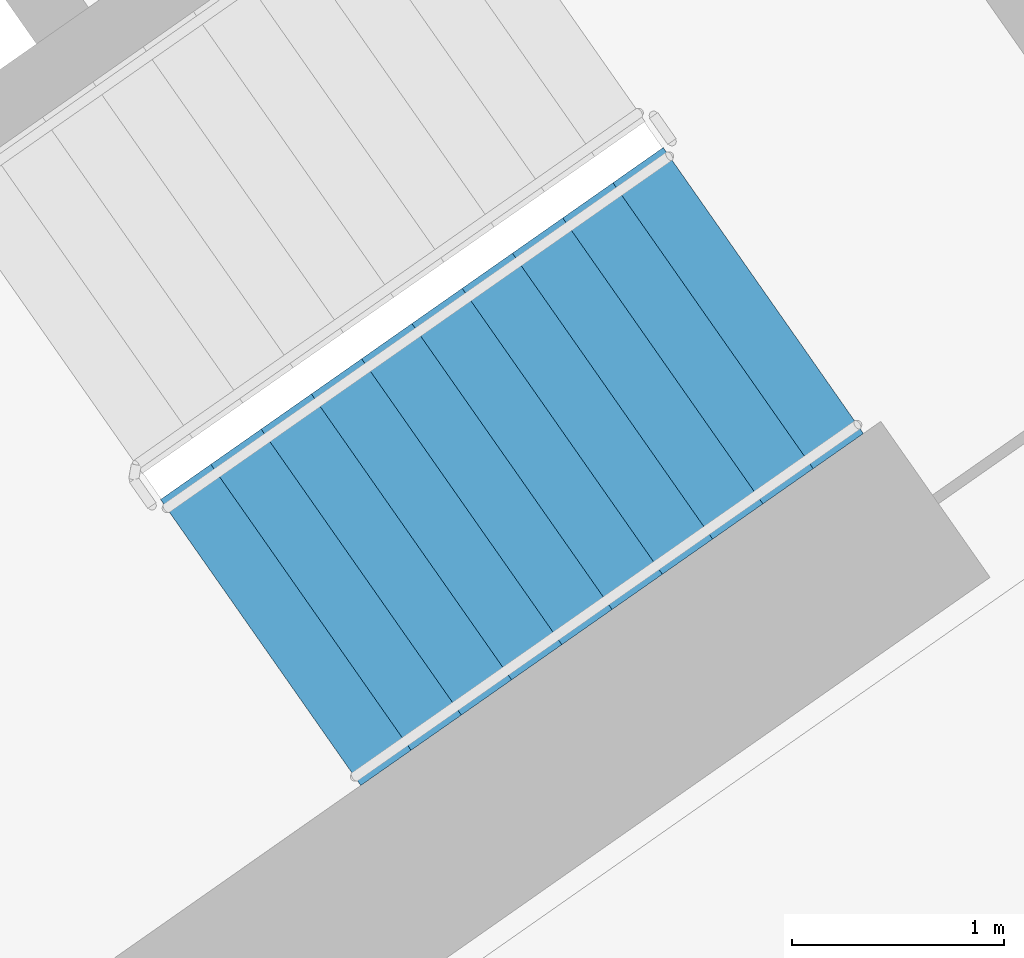
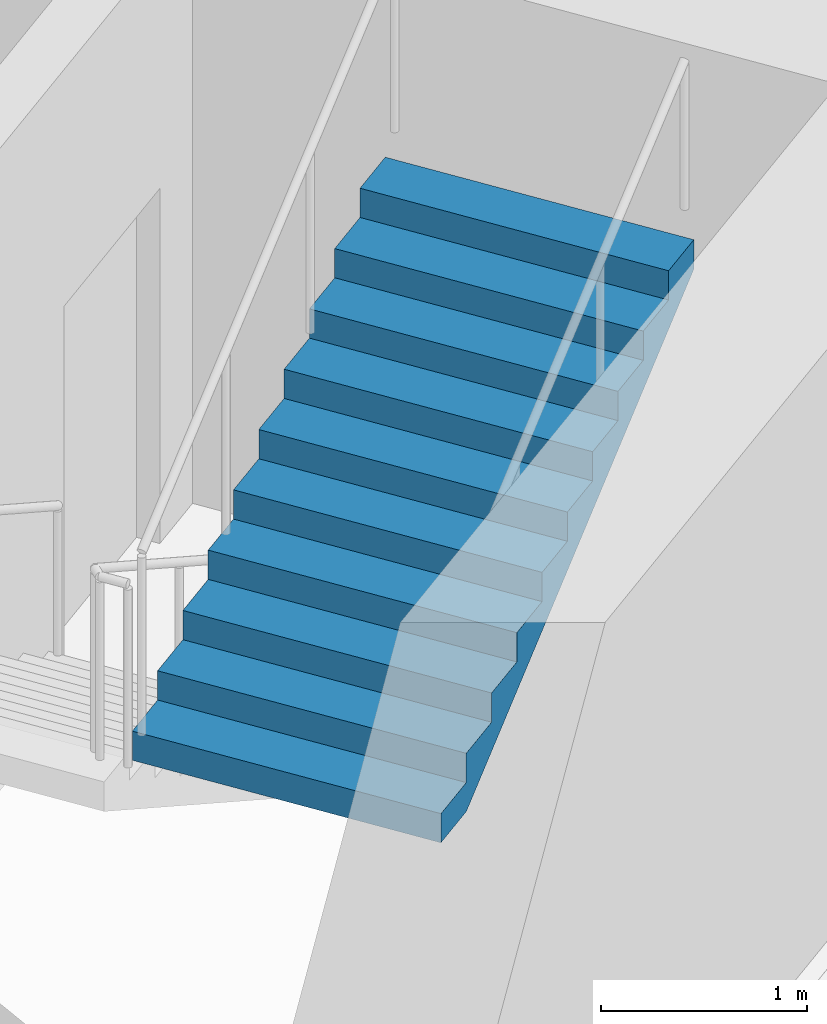
# One storey, part 15 of 31: 1 stair flight, 1 element without a shape of its own.
"""IFC4 building model written with IfcOpenShell, lengths in metres."""

import ifcopenshell
import ifcopenshell.guid

model = None  # the IFC model being written
_history = None  # IfcOwnerHistory: only IFC2X3 demands one
_inside = {}  # id of a spatial element -> (the spatial element, [elements in it])
_under = {}  # id of a project, library or spatial element -> (it, [spatial elements below it])
_declared = {}  # id of a project -> (the project, [libraries it declares])
_typed = {}  # id of a type object -> (the type object, [elements of that type])
_made_of = {}  # id of a material, layer set ... -> (it, [elements and type objects made of it])


def new_model(schema):
    """Start an empty IFC model of exactly this schema.

    Asked for "IFC4X3", IfcOpenShell would pick the latest addendum, in which some entities
    have other attributes; the version numbers below select the first issue.
    IFC2X3 requires an IfcOwnerHistory on every rooted entity: one is made here for all.
    """
    global model, _history
    if schema == "IFC4X3":
        model = ifcopenshell.file(schema_version=(4, 3, 0, 0))
    else:
        model = ifcopenshell.file(schema=schema)
    _inside.clear()
    _under.clear()
    _declared.clear()
    _typed.clear()
    _made_of.clear()
    _history = None
    if model.schema == "IFC2X3":
        org = make("IfcOrganization", Name="unknown")
        user = make(
            "IfcPersonAndOrganization",
            ThePerson=make("IfcPerson", FamilyName="unknown"),
            TheOrganization=org,
        )
        app = make(
            "IfcApplication",
            ApplicationDeveloper=org,
            Version="unknown",
            ApplicationFullName="unknown",
            ApplicationIdentifier="unknown",
        )
        _history = make(
            "IfcOwnerHistory",
            OwningUser=user,
            OwningApplication=app,
            ChangeAction="ADDED",
            CreationDate=0,
        )
    return model


def make(cls, **values):
    """One entity of the class cls with the attributes given. An attribute that is None is left unset."""
    return model.create_entity(
        cls, **{name: value for name, value in values.items() if value is not None}
    )


def rooted(cls, **values):
    """An entity with a GlobalId (a new one), such as an element, a storey or a relation."""
    return make(cls, GlobalId=ifcopenshell.guid.new(), OwnerHistory=_history, **values)


def si_unit(unit_type, name, prefix=None):
    """IfcSIUnit, for example si_unit("LENGTHUNIT", "METRE", prefix="MILLI")."""
    return make("IfcSIUnit", UnitType=unit_type, Prefix=prefix, Name=name)


def assignment(units):
    """IfcUnitAssignment: the units of a project."""
    return None if units is None else make("IfcUnitAssignment", Units=units)


def point(xyz):
    """IfcCartesianPoint."""
    return None if xyz is None else make("IfcCartesianPoint", Coordinates=xyz)


def direction(xyz):
    """IfcDirection."""
    return None if xyz is None else make("IfcDirection", DirectionRatios=xyz)


def frame(location, z_axis=None, x_axis=None):
    """IfcAxis2Placement3D, a coordinate frame: its origin and axes. An axis left out is left unset."""
    return make(
        "IfcAxis2Placement3D",
        Location=point(location),
        Axis=direction(z_axis),
        RefDirection=direction(x_axis),
    )


def origin():
    """The frame at (0, 0, 0) with its axes left unset."""
    return frame((0.0, 0.0, 0.0))


def place(relative_to, where):
    """IfcLocalPlacement: puts the frame where relative to a parent placement (None: the world)."""
    return make(
        "IfcLocalPlacement", PlacementRelTo=relative_to, RelativePlacement=where
    )


def context(
    kind, dimensions, precision=None, world=None, true_north=None, identifier=None
):
    """IfcGeometricRepresentationContext, for example the 3D "Model" context."""
    return make(
        "IfcGeometricRepresentationContext",
        ContextIdentifier=identifier,
        ContextType=kind,
        CoordinateSpaceDimension=dimensions,
        Precision=precision,
        WorldCoordinateSystem=world,
        TrueNorth=true_north,
    )


def subcontext(parent, identifier, kind, view, scale=None):
    """IfcGeometricRepresentationSubContext, for example "Body" below "Model"."""
    return make(
        "IfcGeometricRepresentationSubContext",
        ContextIdentifier=identifier,
        ContextType=kind,
        ParentContext=parent,
        TargetScale=scale,
        TargetView=view,
    )


def project(units=None, contexts=None):
    """IfcProject with its units and contexts."""
    return rooted(
        "IfcProject",
        Name="project",
        RepresentationContexts=contexts,
        UnitsInContext=assignment(units),
    )


def spatial(cls, under=None, at=None, **own):
    """A site, building, storey or space (cls), placed at a placement, below another one or the project."""
    s = rooted(cls, ObjectPlacement=at, **own)
    if under is not None:
        _under.setdefault(under.id(), (under, []))[1].append(s)
    return s


def faces_of(points, faces, orient=None, outer=None):
    """IfcFace entities. A face is a list of loops; a loop is a list of indices into points, from 0.

    orient and outer hold one flag for each loop. By default every Orientation is true, the
    first loop of a face is its IfcFaceOuterBound and the others are IfcFaceBound.
    """
    made = []
    for i, loops in enumerate(faces):
        bounds = []
        for j, loop in enumerate(loops):
            is_outer = j == 0 if outer is None else outer[i][j]
            bounds.append(
                make(
                    "IfcFaceOuterBound" if is_outer else "IfcFaceBound",
                    Bound=make("IfcPolyLoop", Polygon=[points[k] for k in loop]),
                    Orientation=True if orient is None else orient[i][j],
                )
            )
        made.append(make("IfcFace", Bounds=bounds))
    return made


def faceted_brep(points, faces, orient=None, outer=None, voids=None):
    """IfcFacetedBrep: a solid bounded by flat faces; with voids (closed shells), ...WithVoids."""
    shared = [point(p) for p in points]
    hull = make("IfcClosedShell", CfsFaces=faces_of(shared, faces, orient, outer))
    if voids is None:
        return make("IfcFacetedBrep", Outer=hull)
    return make(
        "IfcFacetedBrepWithVoids",
        Outer=hull,
        Voids=[
            make(cls, CfsFaces=faces_of(shared, fs, o, b)) for cls, fs, o, b in voids
        ],
    )


def shape(context_of_items, identifier, shape_type, items):
    """IfcShapeRepresentation: the items that make up one representation, for example the "Body"."""
    return make(
        "IfcShapeRepresentation",
        ContextOfItems=context_of_items,
        RepresentationIdentifier=identifier,
        RepresentationType=shape_type,
        Items=items,
    )


def material(Name=None, Category=None):
    """IfcMaterial."""
    return make("IfcMaterial", Name=Name, Category=Category)


def made_of(thing, what):
    """Note that an element or type object is made of a material, layer set ...; save() writes the relation."""
    if what is not None:
        _made_of.setdefault(what.id(), (what, []))[1].append(thing)
    return thing


def type_object(cls, material=None, **own):
    """A type object (cls), such as IfcWallType, which elements share."""
    return made_of(rooted(cls, **own), material)


def element(
    cls,
    number,
    at=None,
    inside=None,
    cuts=None,
    type_object=None,
    material=None,
    context=None,
    identifier="Body",
    shape_type=None,
    held_by="IfcProductDefinitionShape",
    body=None,
    shapes=None,
    **own,
):
    """One element of the class cls, such as IfcWall. Its Tag is "e" and its number.

    at: its placement. inside: the storey or other place that contains it. cuts: it is an
    opening in that element (IfcRelVoidsElement). A single representation is given by context,
    identifier, shape_type and body (its items); several are given by shapes. held_by: the class
    of the entity that holds the representations. save() writes the other relations.
    """
    e = rooted(cls, Tag="e%d" % number, ObjectPlacement=at, **own)
    if body is not None:
        shapes = [shape(context, identifier, shape_type, body)]
    if shapes is not None:
        e.Representation = make(held_by, Representations=shapes)
    if inside is not None:
        _inside.setdefault(inside.id(), (inside, []))[1].append(e)
    if cuts is not None:
        rooted(
            "IfcRelVoidsElement", RelatingBuildingElement=cuts, RelatedOpeningElement=e
        )
    if type_object is not None:
        _typed.setdefault(type_object.id(), (type_object, []))[1].append(e)
    return made_of(e, material)


def aggregate(whole, parts):
    """IfcRelAggregates: a whole, such as a stair, and the parts it consists of."""
    return rooted("IfcRelAggregates", RelatingObject=whole, RelatedObjects=parts)


def save(model, path):
    """Write the relations noted so far, then the file.

    IfcRelAggregates (storeys below a building ...), IfcRelContainedInSpatialStructure (elements
    in a storey), IfcRelDefinesByType, IfcRelAssociatesMaterial and IfcRelDeclares: one each for
    every whole, place, type object, material and project.
    """
    for whole, parts in _under.values():
        aggregate(whole, parts)
    for where, things in _inside.values():
        rooted(
            "IfcRelContainedInSpatialStructure",
            RelatedElements=things,
            RelatingStructure=where,
        )
    for kind, things in _typed.values():
        rooted("IfcRelDefinesByType", RelatedObjects=things, RelatingType=kind)
    for what, things in _made_of.values():
        rooted("IfcRelAssociatesMaterial", RelatedObjects=things, RelatingMaterial=what)
    for by, libraries in _declared.values():
        rooted("IfcRelDeclares", RelatingContext=by, RelatedDefinitions=libraries)
    model.write(path)


model = new_model("IFC4")

# Units and contexts
model_context = context("Model", 3, precision=1e-05, world=origin(), true_north=direction((0.0, 1.0)))
body_context = subcontext(model_context, "Body", "Model", "MODEL_VIEW")
ifc_project = project(units=[si_unit("LENGTHUNIT", "METRE"), si_unit("AREAUNIT", "SQUARE_METRE"), si_unit("VOLUMEUNIT", "CUBIC_METRE"), si_unit("PLANEANGLEUNIT", "RADIAN"), si_unit("MASSUNIT", "GRAM", prefix="KILO")], contexts=[model_context])

# Site, building, storey
site_placement = place(None, origin())
site = spatial("IfcSite", under=ifc_project, at=site_placement, CompositionType="ELEMENT")
building_placement = place(site_placement, origin())
building = spatial("IfcBuilding", under=site, at=building_placement, Name="Qamariyya Broadcast Tower", CompositionType="ELEMENT")
storey_placement = place(building_placement, frame((0.0, 0.0, 51.89990234375)))
storey = spatial("IfcBuildingStorey", under=building, at=storey_placement, Name="L09", CompositionType="ELEMENT", Elevation=51.89990234375)

# Stair, stair flight
ifc_material = material(Name="Concrete C50/60", Category="concrete")
stair_type = type_object("IfcStairType", Name="Exit stair 22 risers of 173 mm", PredefinedType="HALF_TURN_STAIR", material=ifc_material)
stair_placement = place(storey_placement, origin())
stair = element("IfcStair", 1, at=stair_placement, inside=storey, type_object=stair_type, Name="L09 Stair E1", PredefinedType="HALF_TURN_STAIR")
stair_flight_type = type_object("IfcStairFlightType", Name="Exit stair flight 11 risers of 173 mm", PredefinedType="STRAIGHT", material=ifc_material)
stair_flight_placement = place(storey_placement, frame((44.693359375, -58.64599609375, 1.900146484375), z_axis=(0.0, 0.0, 1.0), x_axis=(0.819152044289, 0.573576436351, 0.0)))
stair_flight = element("IfcStairFlight", 2, at=stair_flight_placement, type_object=stair_flight_type, Name="ST-E1 flight 2", NumberOfRisers=11, NumberOfTreads=10, PredefinedType="STRAIGHT", RiserHeight=0.172727273, TreadLength=0.29, context=body_context, shape_type="Brep", body=[
    faceted_brep([(0.0, 0.824951171875, 0.0), (0.0, 0.824951171875, 0.172607421875), (0.2900390625, 0.824951171875, 0.172607421875), (0.2900390625, 0.824951171875, 0.345458984375), (0.580078125, 0.824951171875, 0.345458984375), (0.580078125, 0.824951171875, 0.51806640625), (0.8701171875, 0.824951171875, 0.51806640625), (0.8701171875, 0.824951171875, 0.69091796875), (1.159912109375, 0.824951171875, 0.69091796875), (1.159912109375, 0.824951171875, 0.863525390625), (1.449951171875, 0.824951171875, 0.863525390625), (1.449951171875, 0.824951171875, 1.036376953125), (1.739990234375, 0.824951171875, 1.036376953125), (1.739990234375, 0.824951171875, 1.208984375), (2.030029296875, 0.824951171875, 1.208984375), (2.030029296875, 0.824951171875, 1.3818359375), (2.320068359375, 0.824951171875, 1.3818359375), (2.320068359375, 0.824951171875, 1.554443359375), (2.610107421875, 0.824951171875, 1.554443359375), (2.610107421875, 0.824951171875, 1.727294921875), (2.89990234375, 0.824951171875, 1.727294921875), (2.89990234375, 0.824951171875, 1.552734375), (0.29296875, 0.824951171875, 0.0), (0.29296875, -0.824951171875, 0.0), (2.89990234375, -0.824951171875, 1.552734375), (2.89990234375, -0.824951171875, 1.727294921875), (2.610107421875, -0.824951171875, 1.727294921875), (2.610107421875, -0.824951171875, 1.554443359375), (2.320068359375, -0.824951171875, 1.554443359375), (2.320068359375, -0.824951171875, 1.3818359375), (2.030029296875, -0.824951171875, 1.3818359375), (2.030029296875, -0.824951171875, 1.208984375), (1.739990234375, -0.824951171875, 1.208984375), (1.739990234375, -0.824951171875, 1.036376953125), (1.449951171875, -0.824951171875, 1.036376953125), (1.449951171875, -0.824951171875, 0.863525390625), (1.159912109375, -0.824951171875, 0.863525390625), (1.159912109375, -0.824951171875, 0.69091796875), (0.8701171875, -0.824951171875, 0.69091796875), (0.8701171875, -0.824951171875, 0.51806640625), (0.580078125, -0.824951171875, 0.51806640625), (0.580078125, -0.824951171875, 0.345458984375), (0.2900390625, -0.824951171875, 0.345458984375), (0.2900390625, -0.824951171875, 0.172607421875), (0.0, -0.824951171875, 0.172607421875), (0.0, -0.824951171875, 0.0), (0.0, 0.10009765625, 0.0), (0.0, 0.086669921875, 0.0), (0.0, 0.0732421875, 0.0), (0.0, 0.06005859375, 0.0), (0.0, 0.046630859375, 0.0), (0.0, 0.033447265625, 0.0), (0.0, 0.02001953125, 0.0), (0.0, 0.006591796875, 0.0), (0.0, -0.006591796875, 0.0), (0.0, -0.02001953125, 0.0), (0.0, -0.033447265625, 0.0), (0.0, -0.046630859375, 0.0), (0.0, -0.06005859375, 0.0), (0.0, -0.0732421875, 0.0), (0.0, -0.086669921875, 0.0), (0.0, -0.10009765625, 0.0), (0.0, -0.10009765625, 0.172607421875), (0.0, -0.086669921875, 0.172607421875), (0.0, -0.0732421875, 0.172607421875), (0.0, -0.06005859375, 0.172607421875), (0.0, -0.046630859375, 0.172607421875), (0.0, -0.033447265625, 0.172607421875), (0.0, -0.02001953125, 0.172607421875), (0.0, -0.006591796875, 0.172607421875), (0.0, 0.006591796875, 0.172607421875), (0.0, 0.02001953125, 0.172607421875), (0.0, 0.033447265625, 0.172607421875), (0.0, 0.046630859375, 0.172607421875), (0.0, 0.06005859375, 0.172607421875), (0.0, 0.0732421875, 0.172607421875), (0.0, 0.086669921875, 0.172607421875), (0.0, 0.10009765625, 0.172607421875), (0.2900390625, -0.10009765625, 0.172607421875), (0.2900390625, -0.086669921875, 0.172607421875), (0.2900390625, -0.0732421875, 0.172607421875), (0.2900390625, -0.06005859375, 0.172607421875), (0.2900390625, -0.046630859375, 0.172607421875), (0.2900390625, -0.033447265625, 0.172607421875), (0.2900390625, -0.02001953125, 0.172607421875), (0.2900390625, -0.006591796875, 0.172607421875), (0.2900390625, 0.006591796875, 0.172607421875), (0.2900390625, 0.02001953125, 0.172607421875), (0.2900390625, 0.033447265625, 0.172607421875), (0.2900390625, 0.046630859375, 0.172607421875), (0.2900390625, 0.06005859375, 0.172607421875), (0.2900390625, 0.0732421875, 0.172607421875), (0.2900390625, 0.086669921875, 0.172607421875), (0.2900390625, 0.10009765625, 0.172607421875), (0.2900390625, -0.10009765625, 0.345458984375), (0.2900390625, -0.086669921875, 0.345458984375), (0.2900390625, -0.0732421875, 0.345458984375), (0.2900390625, -0.06005859375, 0.345458984375), (0.2900390625, -0.046630859375, 0.345458984375), (0.2900390625, -0.033447265625, 0.345458984375), (0.2900390625, -0.02001953125, 0.345458984375), (0.2900390625, -0.006591796875, 0.345458984375), (0.2900390625, 0.006591796875, 0.345458984375), (0.2900390625, 0.02001953125, 0.345458984375), (0.2900390625, 0.033447265625, 0.345458984375), (0.2900390625, 0.046630859375, 0.345458984375), (0.2900390625, 0.06005859375, 0.345458984375), (0.2900390625, 0.0732421875, 0.345458984375), (0.2900390625, 0.086669921875, 0.345458984375), (0.2900390625, 0.10009765625, 0.345458984375), (0.580078125, -0.10009765625, 0.345458984375), (0.580078125, -0.086669921875, 0.345458984375), (0.580078125, -0.0732421875, 0.345458984375), (0.580078125, -0.06005859375, 0.345458984375), (0.580078125, -0.046630859375, 0.345458984375), (0.580078125, -0.033447265625, 0.345458984375), (0.580078125, -0.02001953125, 0.345458984375), (0.580078125, -0.006591796875, 0.345458984375), (0.580078125, 0.006591796875, 0.345458984375), (0.580078125, 0.02001953125, 0.345458984375), (0.580078125, 0.033447265625, 0.345458984375), (0.580078125, 0.046630859375, 0.345458984375), (0.580078125, 0.06005859375, 0.345458984375), (0.580078125, 0.0732421875, 0.345458984375), (0.580078125, 0.086669921875, 0.345458984375), (0.580078125, 0.10009765625, 0.345458984375), (0.580078125, -0.10009765625, 0.51806640625), (0.580078125, -0.086669921875, 0.51806640625), (0.580078125, -0.0732421875, 0.51806640625), (0.580078125, -0.06005859375, 0.51806640625), (0.580078125, -0.046630859375, 0.51806640625), (0.580078125, -0.033447265625, 0.51806640625), (0.580078125, -0.02001953125, 0.51806640625), (0.580078125, -0.006591796875, 0.51806640625), (0.580078125, 0.006591796875, 0.51806640625), (0.580078125, 0.02001953125, 0.51806640625), (0.580078125, 0.033447265625, 0.51806640625), (0.580078125, 0.046630859375, 0.51806640625), (0.580078125, 0.06005859375, 0.51806640625), (0.580078125, 0.0732421875, 0.51806640625), (0.580078125, 0.086669921875, 0.51806640625), (0.580078125, 0.10009765625, 0.51806640625), (0.8701171875, -0.10009765625, 0.51806640625), (0.8701171875, -0.086669921875, 0.51806640625), (0.8701171875, -0.0732421875, 0.51806640625), (0.8701171875, -0.06005859375, 0.51806640625), (0.8701171875, -0.046630859375, 0.51806640625), (0.8701171875, -0.033447265625, 0.51806640625), (0.8701171875, -0.02001953125, 0.51806640625), (0.8701171875, -0.006591796875, 0.51806640625), (0.8701171875, 0.006591796875, 0.51806640625), (0.8701171875, 0.02001953125, 0.51806640625), (0.8701171875, 0.033447265625, 0.51806640625), (0.8701171875, 0.046630859375, 0.51806640625), (0.8701171875, 0.06005859375, 0.51806640625), (0.8701171875, 0.0732421875, 0.51806640625), (0.8701171875, 0.086669921875, 0.51806640625), (0.8701171875, 0.10009765625, 0.51806640625), (0.8701171875, -0.10009765625, 0.69091796875), (0.8701171875, -0.086669921875, 0.69091796875), (0.8701171875, -0.0732421875, 0.69091796875), (0.8701171875, -0.06005859375, 0.69091796875), (0.8701171875, -0.046630859375, 0.69091796875), (0.8701171875, -0.033447265625, 0.69091796875), (0.8701171875, -0.02001953125, 0.69091796875), (0.8701171875, -0.006591796875, 0.69091796875), (0.8701171875, 0.006591796875, 0.69091796875), (0.8701171875, 0.02001953125, 0.69091796875), (0.8701171875, 0.033447265625, 0.69091796875), (0.8701171875, 0.046630859375, 0.69091796875), (0.8701171875, 0.06005859375, 0.69091796875), (0.8701171875, 0.0732421875, 0.69091796875), (0.8701171875, 0.086669921875, 0.69091796875), (0.8701171875, 0.10009765625, 0.69091796875), (1.159912109375, -0.10009765625, 0.69091796875), (1.159912109375, -0.086669921875, 0.69091796875), (1.159912109375, -0.0732421875, 0.69091796875), (1.159912109375, -0.06005859375, 0.69091796875), (1.159912109375, -0.046630859375, 0.69091796875), (1.159912109375, -0.033447265625, 0.69091796875), (1.159912109375, -0.02001953125, 0.69091796875), (1.159912109375, -0.006591796875, 0.69091796875), (1.159912109375, 0.006591796875, 0.69091796875), (1.159912109375, 0.02001953125, 0.69091796875), (1.159912109375, 0.033447265625, 0.69091796875), (1.159912109375, 0.046630859375, 0.69091796875), (1.159912109375, 0.06005859375, 0.69091796875), (1.159912109375, 0.0732421875, 0.69091796875), (1.159912109375, 0.086669921875, 0.69091796875), (1.159912109375, 0.10009765625, 0.69091796875), (1.159912109375, -0.10009765625, 0.863525390625), (1.159912109375, -0.086669921875, 0.863525390625), (1.159912109375, -0.0732421875, 0.863525390625), (1.159912109375, -0.06005859375, 0.863525390625), (1.159912109375, -0.046630859375, 0.863525390625), (1.159912109375, -0.033447265625, 0.863525390625), (1.159912109375, -0.02001953125, 0.863525390625), (1.159912109375, -0.006591796875, 0.863525390625), (1.159912109375, 0.006591796875, 0.863525390625), (1.159912109375, 0.02001953125, 0.863525390625), (1.159912109375, 0.033447265625, 0.863525390625), (1.159912109375, 0.046630859375, 0.863525390625), (1.159912109375, 0.06005859375, 0.863525390625), (1.159912109375, 0.0732421875, 0.863525390625), (1.159912109375, 0.086669921875, 0.863525390625), (1.159912109375, 0.10009765625, 0.863525390625), (1.449951171875, -0.10009765625, 0.863525390625), (1.449951171875, -0.086669921875, 0.863525390625), (1.449951171875, -0.0732421875, 0.863525390625), (1.449951171875, -0.06005859375, 0.863525390625), (1.449951171875, -0.046630859375, 0.863525390625), (1.449951171875, -0.033447265625, 0.863525390625), (1.449951171875, -0.02001953125, 0.863525390625), (1.449951171875, -0.006591796875, 0.863525390625), (1.449951171875, 0.006591796875, 0.863525390625), (1.449951171875, 0.02001953125, 0.863525390625), (1.449951171875, 0.033447265625, 0.863525390625), (1.449951171875, 0.046630859375, 0.863525390625), (1.449951171875, 0.06005859375, 0.863525390625), (1.449951171875, 0.0732421875, 0.863525390625), (1.449951171875, 0.086669921875, 0.863525390625), (1.449951171875, 0.10009765625, 0.863525390625), (1.449951171875, -0.10009765625, 1.036376953125), (1.449951171875, -0.086669921875, 1.036376953125), (1.449951171875, -0.0732421875, 1.036376953125), (1.449951171875, -0.06005859375, 1.036376953125), (1.449951171875, -0.046630859375, 1.036376953125), (1.449951171875, -0.033447265625, 1.036376953125), (1.449951171875, -0.02001953125, 1.036376953125), (1.449951171875, -0.006591796875, 1.036376953125), (1.449951171875, 0.006591796875, 1.036376953125), (1.449951171875, 0.02001953125, 1.036376953125), (1.449951171875, 0.033447265625, 1.036376953125), (1.449951171875, 0.046630859375, 1.036376953125), (1.449951171875, 0.06005859375, 1.036376953125), (1.449951171875, 0.0732421875, 1.036376953125), (1.449951171875, 0.086669921875, 1.036376953125), (1.449951171875, 0.10009765625, 1.036376953125), (1.739990234375, -0.10009765625, 1.036376953125), (1.739990234375, -0.086669921875, 1.036376953125), (1.739990234375, -0.0732421875, 1.036376953125), (1.739990234375, -0.06005859375, 1.036376953125), (1.739990234375, -0.046630859375, 1.036376953125), (1.739990234375, -0.033447265625, 1.036376953125), (1.739990234375, -0.02001953125, 1.036376953125), (1.739990234375, -0.006591796875, 1.036376953125), (1.739990234375, 0.006591796875, 1.036376953125), (1.739990234375, 0.02001953125, 1.036376953125), (1.739990234375, 0.033447265625, 1.036376953125), (1.739990234375, 0.046630859375, 1.036376953125), (1.739990234375, 0.06005859375, 1.036376953125), (1.739990234375, 0.0732421875, 1.036376953125), (1.739990234375, 0.086669921875, 1.036376953125), (1.739990234375, 0.10009765625, 1.036376953125), (1.739990234375, -0.10009765625, 1.208984375), (1.739990234375, -0.086669921875, 1.208984375), (1.739990234375, -0.0732421875, 1.208984375), (1.739990234375, -0.06005859375, 1.208984375), (1.739990234375, -0.046630859375, 1.208984375), (1.739990234375, -0.033447265625, 1.208984375), (1.739990234375, -0.02001953125, 1.208984375), (1.739990234375, -0.006591796875, 1.208984375), (1.739990234375, 0.006591796875, 1.208984375), (1.739990234375, 0.02001953125, 1.208984375), (1.739990234375, 0.033447265625, 1.208984375), (1.739990234375, 0.046630859375, 1.208984375), (1.739990234375, 0.06005859375, 1.208984375), (1.739990234375, 0.0732421875, 1.208984375), (1.739990234375, 0.086669921875, 1.208984375), (1.739990234375, 0.10009765625, 1.208984375), (2.030029296875, -0.10009765625, 1.208984375), (2.030029296875, -0.086669921875, 1.208984375), (2.030029296875, -0.0732421875, 1.208984375), (2.030029296875, -0.06005859375, 1.208984375), (2.030029296875, -0.046630859375, 1.208984375), (2.030029296875, -0.033447265625, 1.208984375), (2.030029296875, -0.02001953125, 1.208984375), (2.030029296875, -0.006591796875, 1.208984375), (2.030029296875, 0.006591796875, 1.208984375), (2.030029296875, 0.02001953125, 1.208984375), (2.030029296875, 0.033447265625, 1.208984375), (2.030029296875, 0.046630859375, 1.208984375), (2.030029296875, 0.06005859375, 1.208984375), (2.030029296875, 0.0732421875, 1.208984375), (2.030029296875, 0.086669921875, 1.208984375), (2.030029296875, 0.10009765625, 1.208984375), (2.030029296875, -0.10009765625, 1.3818359375), (2.030029296875, -0.086669921875, 1.3818359375), (2.030029296875, -0.0732421875, 1.3818359375), (2.030029296875, -0.06005859375, 1.3818359375), (2.030029296875, -0.046630859375, 1.3818359375), (2.030029296875, -0.033447265625, 1.3818359375), (2.030029296875, -0.02001953125, 1.3818359375), (2.030029296875, -0.006591796875, 1.3818359375), (2.030029296875, 0.006591796875, 1.3818359375), (2.030029296875, 0.02001953125, 1.3818359375), (2.030029296875, 0.033447265625, 1.3818359375), (2.030029296875, 0.046630859375, 1.3818359375), (2.030029296875, 0.06005859375, 1.3818359375), (2.030029296875, 0.0732421875, 1.3818359375), (2.030029296875, 0.086669921875, 1.3818359375), (2.030029296875, 0.10009765625, 1.3818359375), (2.320068359375, -0.10009765625, 1.3818359375), (2.320068359375, -0.086669921875, 1.3818359375), (2.320068359375, -0.0732421875, 1.3818359375), (2.320068359375, -0.06005859375, 1.3818359375), (2.320068359375, -0.046630859375, 1.3818359375), (2.320068359375, -0.033447265625, 1.3818359375), (2.320068359375, -0.02001953125, 1.3818359375), (2.320068359375, -0.006591796875, 1.3818359375), (2.320068359375, 0.006591796875, 1.3818359375), (2.320068359375, 0.02001953125, 1.3818359375), (2.320068359375, 0.033447265625, 1.3818359375), (2.320068359375, 0.046630859375, 1.3818359375), (2.320068359375, 0.06005859375, 1.3818359375), (2.320068359375, 0.0732421875, 1.3818359375), (2.320068359375, 0.086669921875, 1.3818359375), (2.320068359375, 0.10009765625, 1.3818359375), (2.320068359375, -0.10009765625, 1.554443359375), (2.320068359375, -0.086669921875, 1.554443359375), (2.320068359375, -0.0732421875, 1.554443359375), (2.320068359375, -0.06005859375, 1.554443359375), (2.320068359375, -0.046630859375, 1.554443359375), (2.320068359375, -0.033447265625, 1.554443359375), (2.320068359375, -0.02001953125, 1.554443359375), (2.320068359375, -0.006591796875, 1.554443359375), (2.320068359375, 0.006591796875, 1.554443359375), (2.320068359375, 0.02001953125, 1.554443359375), (2.320068359375, 0.033447265625, 1.554443359375), (2.320068359375, 0.046630859375, 1.554443359375), (2.320068359375, 0.06005859375, 1.554443359375), (2.320068359375, 0.0732421875, 1.554443359375), (2.320068359375, 0.086669921875, 1.554443359375), (2.320068359375, 0.10009765625, 1.554443359375), (2.610107421875, -0.10009765625, 1.554443359375), (2.610107421875, -0.086669921875, 1.554443359375), (2.610107421875, -0.0732421875, 1.554443359375), (2.610107421875, -0.06005859375, 1.554443359375), (2.610107421875, -0.046630859375, 1.554443359375), (2.610107421875, -0.033447265625, 1.554443359375), (2.610107421875, -0.02001953125, 1.554443359375), (2.610107421875, -0.006591796875, 1.554443359375), (2.610107421875, 0.006591796875, 1.554443359375), (2.610107421875, 0.02001953125, 1.554443359375), (2.610107421875, 0.033447265625, 1.554443359375), (2.610107421875, 0.046630859375, 1.554443359375), (2.610107421875, 0.06005859375, 1.554443359375), (2.610107421875, 0.0732421875, 1.554443359375), (2.610107421875, 0.086669921875, 1.554443359375), (2.610107421875, 0.10009765625, 1.554443359375), (2.610107421875, -0.10009765625, 1.727294921875), (2.610107421875, -0.086669921875, 1.727294921875), (2.610107421875, -0.0732421875, 1.727294921875), (2.610107421875, -0.06005859375, 1.727294921875), (2.610107421875, -0.046630859375, 1.727294921875), (2.610107421875, -0.033447265625, 1.727294921875), (2.610107421875, -0.02001953125, 1.727294921875), (2.610107421875, -0.006591796875, 1.727294921875), (2.610107421875, 0.006591796875, 1.727294921875), (2.610107421875, 0.02001953125, 1.727294921875), (2.610107421875, 0.033447265625, 1.727294921875), (2.610107421875, 0.046630859375, 1.727294921875), (2.610107421875, 0.06005859375, 1.727294921875), (2.610107421875, 0.0732421875, 1.727294921875), (2.610107421875, 0.086669921875, 1.727294921875), (2.610107421875, 0.10009765625, 1.727294921875), (2.89990234375, -0.10009765625, 1.727294921875), (2.89990234375, -0.086669921875, 1.727294921875), (2.89990234375, -0.0732421875, 1.727294921875), (2.89990234375, -0.06005859375, 1.727294921875), (2.89990234375, -0.046630859375, 1.727294921875), (2.89990234375, -0.033447265625, 1.727294921875), (2.89990234375, -0.02001953125, 1.727294921875), (2.89990234375, -0.006591796875, 1.727294921875), (2.89990234375, 0.006591796875, 1.727294921875), (2.89990234375, 0.02001953125, 1.727294921875), (2.89990234375, 0.033447265625, 1.727294921875), (2.89990234375, 0.046630859375, 1.727294921875), (2.89990234375, 0.06005859375, 1.727294921875), (2.89990234375, 0.0732421875, 1.727294921875), (2.89990234375, 0.086669921875, 1.727294921875), (2.89990234375, 0.10009765625, 1.727294921875), (2.89990234375, -0.10009765625, 1.552734375), (2.89990234375, -0.086669921875, 1.552734375), (2.89990234375, -0.0732421875, 1.552734375), (2.89990234375, -0.06005859375, 1.552734375), (2.89990234375, -0.046630859375, 1.552734375), (2.89990234375, -0.033447265625, 1.552734375), (2.89990234375, -0.02001953125, 1.552734375), (2.89990234375, -0.006591796875, 1.552734375), (2.89990234375, 0.006591796875, 1.552734375), (2.89990234375, 0.02001953125, 1.552734375), (2.89990234375, 0.033447265625, 1.552734375), (2.89990234375, 0.046630859375, 1.552734375), (2.89990234375, 0.06005859375, 1.552734375), (2.89990234375, 0.0732421875, 1.552734375), (2.89990234375, 0.086669921875, 1.552734375), (2.89990234375, 0.10009765625, 1.552734375), (0.29296875, -0.10009765625, 0.0), (0.29296875, -0.086669921875, 0.0), (0.29296875, -0.0732421875, 0.0), (0.29296875, -0.06005859375, 0.0), (0.29296875, -0.046630859375, 0.0), (0.29296875, -0.033447265625, 0.0), (0.29296875, -0.02001953125, 0.0), (0.29296875, -0.006591796875, 0.0), (0.29296875, 0.006591796875, 0.0), (0.29296875, 0.02001953125, 0.0), (0.29296875, 0.033447265625, 0.0), (0.29296875, 0.046630859375, 0.0), (0.29296875, 0.06005859375, 0.0), (0.29296875, 0.0732421875, 0.0), (0.29296875, 0.086669921875, 0.0), (0.29296875, 0.10009765625, 0.0)], [[[0, 1, 2, 3, 4, 5, 6, 7, 8, 9, 10, 11, 12, 13, 14, 15, 16, 17, 18, 19, 20, 21, 22]], [[23, 24, 25, 26, 27, 28, 29, 30, 31, 32, 33, 34, 35, 36, 37, 38, 39, 40, 41, 42, 43, 44, 45]], [[0, 46, 47, 48, 49, 50, 51, 52, 53, 54, 55, 56, 57, 58, 59, 60, 61, 45, 44, 62, 63, 64, 65, 66, 67, 68, 69, 70, 71, 72, 73, 74, 75, 76, 77, 1]], [[1, 77, 76, 75, 74, 73, 72, 71, 70, 69, 68, 67, 66, 65, 64, 63, 62, 44, 43, 78, 79, 80, 81, 82, 83, 84, 85, 86, 87, 88, 89, 90, 91, 92, 93, 2]], [[2, 93, 92, 91, 90, 89, 88, 87, 86, 85, 84, 83, 82, 81, 80, 79, 78, 43, 42, 94, 95, 96, 97, 98, 99, 100, 101, 102, 103, 104, 105, 106, 107, 108, 109, 3]], [[3, 109, 108, 107, 106, 105, 104, 103, 102, 101, 100, 99, 98, 97, 96, 95, 94, 42, 41, 110, 111, 112, 113, 114, 115, 116, 117, 118, 119, 120, 121, 122, 123, 124, 125, 4]], [[4, 125, 124, 123, 122, 121, 120, 119, 118, 117, 116, 115, 114, 113, 112, 111, 110, 41, 40, 126, 127, 128, 129, 130, 131, 132, 133, 134, 135, 136, 137, 138, 139, 140, 141, 5]], [[5, 141, 140, 139, 138, 137, 136, 135, 134, 133, 132, 131, 130, 129, 128, 127, 126, 40, 39, 142, 143, 144, 145, 146, 147, 148, 149, 150, 151, 152, 153, 154, 155, 156, 157, 6]], [[6, 157, 156, 155, 154, 153, 152, 151, 150, 149, 148, 147, 146, 145, 144, 143, 142, 39, 38, 158, 159, 160, 161, 162, 163, 164, 165, 166, 167, 168, 169, 170, 171, 172, 173, 7]], [[7, 173, 172, 171, 170, 169, 168, 167, 166, 165, 164, 163, 162, 161, 160, 159, 158, 38, 37, 174, 175, 176, 177, 178, 179, 180, 181, 182, 183, 184, 185, 186, 187, 188, 189, 8]], [[8, 189, 188, 187, 186, 185, 184, 183, 182, 181, 180, 179, 178, 177, 176, 175, 174, 37, 36, 190, 191, 192, 193, 194, 195, 196, 197, 198, 199, 200, 201, 202, 203, 204, 205, 9]], [[9, 205, 204, 203, 202, 201, 200, 199, 198, 197, 196, 195, 194, 193, 192, 191, 190, 36, 35, 206, 207, 208, 209, 210, 211, 212, 213, 214, 215, 216, 217, 218, 219, 220, 221, 10]], [[10, 221, 220, 219, 218, 217, 216, 215, 214, 213, 212, 211, 210, 209, 208, 207, 206, 35, 34, 222, 223, 224, 225, 226, 227, 228, 229, 230, 231, 232, 233, 234, 235, 236, 237, 11]], [[11, 237, 236, 235, 234, 233, 232, 231, 230, 229, 228, 227, 226, 225, 224, 223, 222, 34, 33, 238, 239, 240, 241, 242, 243, 244, 245, 246, 247, 248, 249, 250, 251, 252, 253, 12]], [[12, 253, 252, 251, 250, 249, 248, 247, 246, 245, 244, 243, 242, 241, 240, 239, 238, 33, 32, 254, 255, 256, 257, 258, 259, 260, 261, 262, 263, 264, 265, 266, 267, 268, 269, 13]], [[13, 269, 268, 267, 266, 265, 264, 263, 262, 261, 260, 259, 258, 257, 256, 255, 254, 32, 31, 270, 271, 272, 273, 274, 275, 276, 277, 278, 279, 280, 281, 282, 283, 284, 285, 14]], [[14, 285, 284, 283, 282, 281, 280, 279, 278, 277, 276, 275, 274, 273, 272, 271, 270, 31, 30, 286, 287, 288, 289, 290, 291, 292, 293, 294, 295, 296, 297, 298, 299, 300, 301, 15]], [[15, 301, 300, 299, 298, 297, 296, 295, 294, 293, 292, 291, 290, 289, 288, 287, 286, 30, 29, 302, 303, 304, 305, 306, 307, 308, 309, 310, 311, 312, 313, 314, 315, 316, 317, 16]], [[16, 317, 316, 315, 314, 313, 312, 311, 310, 309, 308, 307, 306, 305, 304, 303, 302, 29, 28, 318, 319, 320, 321, 322, 323, 324, 325, 326, 327, 328, 329, 330, 331, 332, 333, 17]], [[17, 333, 332, 331, 330, 329, 328, 327, 326, 325, 324, 323, 322, 321, 320, 319, 318, 28, 27, 334, 335, 336, 337, 338, 339, 340, 341, 342, 343, 344, 345, 346, 347, 348, 349, 18]], [[18, 349, 348, 347, 346, 345, 344, 343, 342, 341, 340, 339, 338, 337, 336, 335, 334, 27, 26, 350, 351, 352, 353, 354, 355, 356, 357, 358, 359, 360, 361, 362, 363, 364, 365, 19]], [[19, 365, 364, 363, 362, 361, 360, 359, 358, 357, 356, 355, 354, 353, 352, 351, 350, 26, 25, 366, 367, 368, 369, 370, 371, 372, 373, 374, 375, 376, 377, 378, 379, 380, 381, 20]], [[20, 381, 380, 379, 378, 377, 376, 375, 374, 373, 372, 371, 370, 369, 368, 367, 366, 25, 24, 382, 383, 384, 385, 386, 387, 388, 389, 390, 391, 392, 393, 394, 395, 396, 397, 21]], [[21, 397, 396, 395, 394, 393, 392, 391, 390, 389, 388, 387, 386, 385, 384, 383, 382, 24, 23, 398, 399, 400, 401, 402, 403, 404, 405, 406, 407, 408, 409, 410, 411, 412, 413, 22]], [[22, 413, 412, 411, 410, 409, 408, 407, 406, 405, 404, 403, 402, 401, 400, 399, 398, 23, 45, 61, 60, 59, 58, 57, 56, 55, 54, 53, 52, 51, 50, 49, 48, 47, 46, 0]]]),
])
aggregate(stair, [stair_flight])

save(model, "model.ifc")
